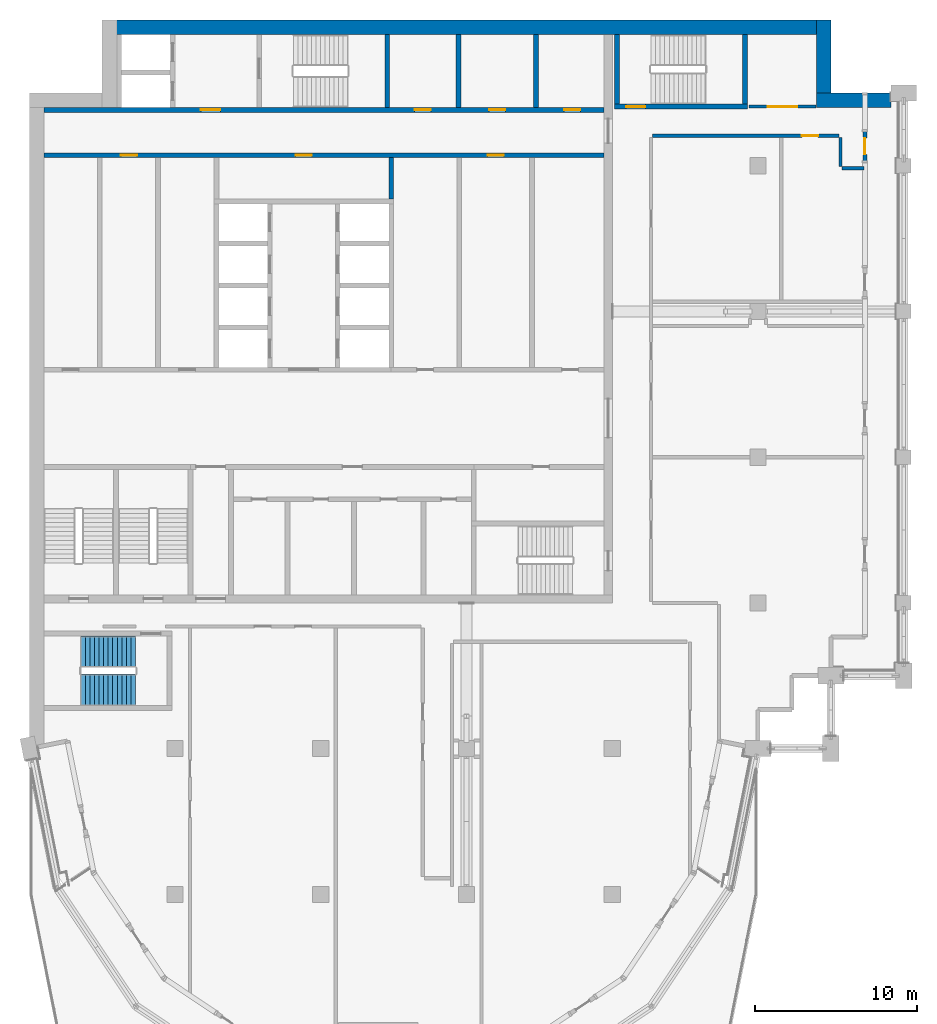
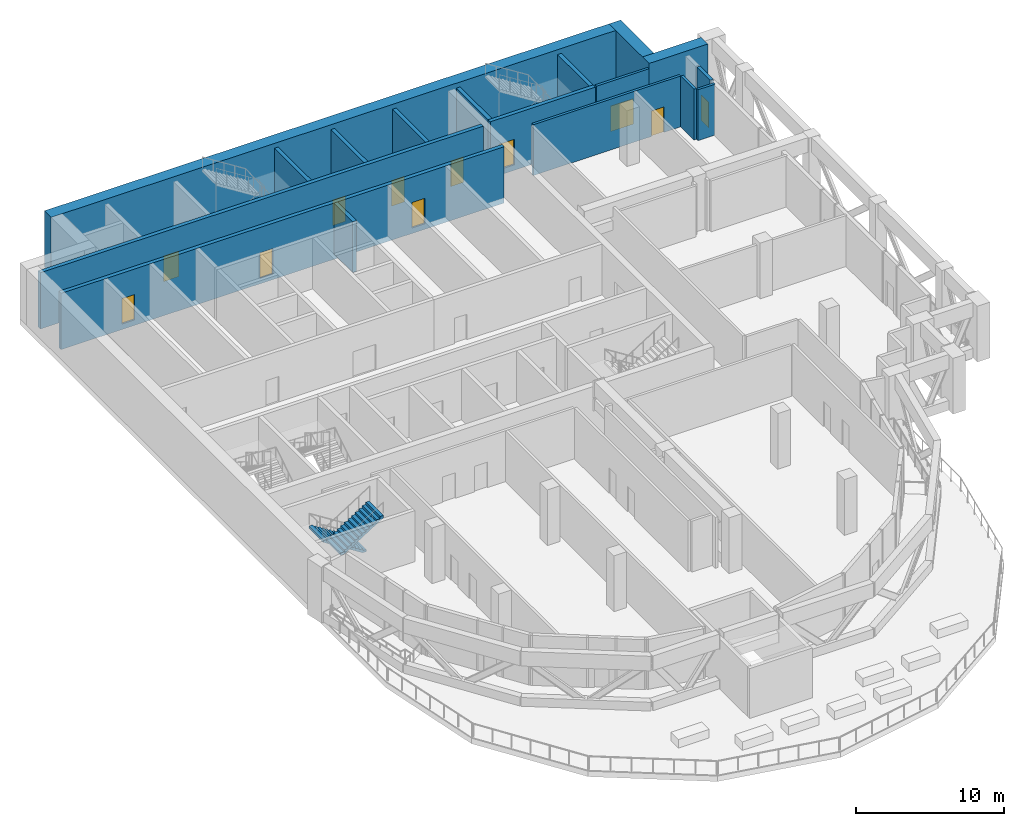
# One storey, part 10 of 18: 17 walls, 11 doors, 2 stair flights, 11 openings, 1 element without a shape of its own.
"""IFC4 building model written with IfcOpenShell, lengths in metres."""

from ifc_helpers import new_model, si_unit, direction, frame, frame_2d, origin, place, context, subcontext, project, spatial, polyline, rectangle, outline, extrude, material, layer, layer_set, type_object, element, fill, aggregate, save


model = new_model("IFC4")

# Units and contexts
model_context = context("Model", 3, precision=1e-05, world=origin(), true_north=direction((0.0, 1.0)))
body_context = subcontext(model_context, "Body", "Model", "MODEL_VIEW")
ifc_project = project(units=[si_unit("LENGTHUNIT", "METRE"), si_unit("AREAUNIT", "SQUARE_METRE"), si_unit("VOLUMEUNIT", "CUBIC_METRE"), si_unit("PLANEANGLEUNIT", "RADIAN"), si_unit("MASSUNIT", "GRAM", prefix="KILO")], contexts=[model_context])

# Site, building, storey
site_placement = place(None, origin())
site = spatial("IfcSite", under=ifc_project, at=site_placement, CompositionType="ELEMENT")
building_placement = place(site_placement, origin())
building = spatial("IfcBuilding", under=site, at=building_placement, Name="Hunhe Ridgeline Campus", CompositionType="ELEMENT")
storey_placement = place(building_placement, frame((0.0, 0.0, 276.199951171875)))
storey = spatial("IfcBuildingStorey", under=building, at=storey_placement, Name="L71", CompositionType="ELEMENT", Elevation=276.199951171875)

# Walls
ifc_material_1 = material(Name="Masonry concrete blockwork", Category="masonry")
ifc_layer_1 = layer(ifc_material_1, 0.300048828125)
ifc_layer_set_1 = layer_set([ifc_layer_1], Name="Core room partition 300 concrete block")
wall_type_1 = type_object("IfcWallType", Name="Core room partition 300 concrete block", PredefinedType="PARTITIONING", material=ifc_layer_set_1)
wall_1_placement = place(storey_placement, frame((22.35009765625, 87.949951171875, 0.0), z_axis=(0.0, 0.0, 1.0), x_axis=(0.0, 1.0, 0.0)))
element("IfcWall", 1, at=wall_1_placement, inside=storey, type_object=wall_type_1, Name="L71 core partition 42", PredefinedType="PARTITIONING", context=body_context, shape_type="SweptSolid", body=[
    extrude(rectangle(XDim=2.550048828125, YDim=0.300048828125, at=frame_2d((1.27490234375, 0.0))), origin(), (0.0, 0.0, 1.0), 4.199951171875),
])
for number, where, z_axis, x_axis, name in (
    (2, (26.5, 93.60009765625, 0.0), (0.0, 0.0, 1.0), (0.0, 1.0, 0.0), "L71 core partition 45"),
    (3, (31.300048828125, 93.60009765625, 0.0), (0.0, 0.0, 1.0), (0.0, 1.0, 0.0), "L71 core partition 50"),
):
    element("IfcWall", number, at=place(storey_placement, frame(where, z_axis=z_axis, x_axis=x_axis)), inside=storey, type_object=wall_type_1, Name=name, PredefinedType="PARTITIONING", context=body_context, shape_type="SweptSolid", body=[
        extrude(rectangle(XDim=4.5, YDim=0.300048828125, at=frame_2d((2.25, 0.0))), origin(), (0.0, 0.0, 1.0), 4.199951171875),
    ])
ifc_material_2 = material(Name="Gypsum board partition")
ifc_layer_2 = layer(ifc_material_2, 0.199951171875)
ifc_layer_set_2 = layer_set([ifc_layer_2], Name="Corridor partition 200 gypsum board on steel studs")
wall_type_2 = type_object("IfcWallType", Name="Corridor partition 200 gypsum board on steel studs", PredefinedType="PARTITIONING", material=ifc_layer_set_2)
wall_2_placement = place(storey_placement, frame((51.544921875, 89.85009765625, 0.0), z_axis=(0.0, 0.0, 1.0), x_axis=(-1.0, 0.0, 0.0)))
element("IfcWall", 4, at=wall_2_placement, inside=storey, type_object=wall_type_2, Name="F-L71-wall-015", PredefinedType="PARTITIONING", context=body_context, shape_type="SweptSolid", body=[
    extrude(rectangle(XDim=1.345947265625, YDim=0.199951171875, at=frame_2d((0.6728515625, 0.0))), origin(), (0.0, 0.0, 1.0), 4.199951171875),
])

# Wall, opening, door
wall_3_placement = place(storey_placement, frame((49.9990234375, 91.85009765625, 0.0), z_axis=(0.0, 0.0, 1.0), x_axis=(-1.0, 0.0, 0.0)))
wall_3 = element("IfcWall", 5, at=wall_3_placement, inside=storey, type_object=wall_type_2, Name="F-L71-wall-016", PredefinedType="PARTITIONING", context=body_context, shape_type="SweptSolid", body=[
    extrude(rectangle(XDim=11.4990234375, YDim=0.199951171875, at=frame_2d((5.74951171875, 0.0))), origin(), (0.0, 0.0, 1.0), 4.199951171875),
])
opening_1_placement = place(wall_3_placement, frame((1.288818359375, 0.0, 0.0)))
opening_1 = element("IfcOpeningElement", 6, at=opening_1_placement, cuts=wall_3, Name="Opening RD1-014", PredefinedType="OPENING", context=body_context, shape_type="SweptSolid", body=[
    extrude(rectangle(XDim=1.0, YDim=2.10009765625, at=frame_2d((0.5, 1.050048828125))), frame((0.0, 0.10009765625, 0.0), z_axis=(0.0, -1.0, 0.0), x_axis=(1.0, 0.0, 0.0)), (0.0, 0.0, 1.0), 0.199951171875),
])
ifc_material_3 = material(Name="Timber door leaf", Category="wood")
door_type_1 = type_object("IfcDoorType", Name="Single fire door 1000x2100 timber FD60", OperationType="NOTDEFINED", PredefinedType="DOOR", material=ifc_material_3)
door_1_placement = place(opening_1_placement, frame((1.0, 0.0, 0.0), z_axis=(0.0, 0.0, 1.0), x_axis=(-1.0, 0.0, 0.0)))
door_1 = element("IfcDoor", 7, at=door_1_placement, inside=storey, type_object=door_type_1, Name="F-L71-door-014", OperationType="SINGLE_SWING_RIGHT", OverallHeight=2.10009765625, OverallWidth=1.0, PredefinedType="DOOR", context=body_context, shape_type="SweptSolid", body=[
    extrude(rectangle(XDim=1.0, YDim=2.10009765625, at=frame_2d((0.5, 1.050048828125))), frame((0.0, 0.02490234375, 0.0), z_axis=(0.0, -1.0, 0.0), x_axis=(1.0, 0.0, 0.0)), (0.0, 0.0, 1.0), 0.050048828125),
])
fill(opening_1, door_1)

wall_4_placement = place(storey_placement, frame((44.4541015625, 93.64990234375, 0.0), z_axis=(0.0, 0.0, 1.0), x_axis=(1.0, 0.0, 0.0)))
wall_4 = element("IfcWall", 8, at=wall_4_placement, inside=storey, type_object=wall_type_2, Name="F-L71-wall-017", PredefinedType="PARTITIONING", context=body_context, shape_type="SweptSolid", body=[
    extrude(rectangle(XDim=4.121826171875, YDim=0.199951171875, at=frame_2d((2.06103515625, 0.0))), origin(), (0.0, 0.0, 1.0), 4.199951171875),
])
opening_2_placement = place(wall_4_placement, frame((1.160888671875, 0.0, 0.0)))
opening_2 = element("IfcOpeningElement", 9, at=opening_2_placement, cuts=wall_4, Name="Opening RD2-015", PredefinedType="OPENING", context=body_context, shape_type="SweptSolid", body=[
    extrude(rectangle(XDim=1.800048828125, YDim=2.10009765625, at=frame_2d((0.89990234375, 1.050048828125))), frame((0.0, 0.10009765625, 0.0), z_axis=(0.0, -1.0, 0.0), x_axis=(1.0, 0.0, 0.0)), (0.0, 0.0, 1.0), 0.199951171875),
])
door_type_2 = type_object("IfcDoorType", Name="Double fire door 1800x2100 timber FD60", OperationType="DOUBLE_DOOR_SINGLE_SWING", PredefinedType="DOOR", material=ifc_material_3)
door_2_placement = place(opening_2_placement, origin())
door_2 = element("IfcDoor", 10, at=door_2_placement, inside=storey, type_object=door_type_2, Name="F-L71-door-015", OperationType="DOUBLE_DOOR_SINGLE_SWING", OverallHeight=2.10009765625, OverallWidth=1.800048828125, PredefinedType="DOOR", context=body_context, shape_type="SweptSolid", body=[
    extrude(rectangle(XDim=1.800048828125, YDim=2.10009765625, at=frame_2d((0.89990234375, 1.050048828125))), frame((0.0, 0.02490234375, 0.0), z_axis=(0.0, -1.0, 0.0), x_axis=(1.0, 0.0, 0.0)), (0.0, 0.0, 1.0), 0.050048828125),
])
fill(opening_2, door_2)

# Wall
wall_5_placement = place(storey_placement, frame((50.09912109375, 89.949951171875, 0.0), z_axis=(0.0, 0.0, 1.0), x_axis=(0.0, 1.0, 0.0)))
element("IfcWall", 11, at=wall_5_placement, inside=storey, type_object=wall_type_2, Name="F-L71-wall-029", PredefinedType="PARTITIONING", context=body_context, shape_type="SweptSolid", body=[
    extrude(rectangle(XDim=1.800048828125, YDim=0.199951171875, at=frame_2d((0.89990234375, 0.0))), origin(), (0.0, 0.0, 1.0), 4.199951171875),
])

# Wall, openings, doors
ifc_material_4 = material(Name="Concrete C50", Category="concrete")
ifc_layer_3 = layer(ifc_material_4, 0.300048828125)
ifc_layer_set_3 = layer_set([ifc_layer_3], Name="Lobby wall 300 reinforced concrete C50")
wall_type_3 = type_object("IfcWallType", Name="Lobby wall 300 reinforced concrete C50", PredefinedType="SOLIDWALL", material=ifc_layer_set_3)
wall_6_placement = place(storey_placement, frame((0.89990234375, 90.64990234375, -0.449951171875), z_axis=(0.0, 0.0, 1.0), x_axis=(1.0, 0.0, 0.0)))
wall_6 = element("IfcWall", 12, at=wall_6_placement, inside=storey, type_object=wall_type_3, Name="L71 core wall 20", PredefinedType="SOLIDWALL", context=body_context, shape_type="SweptSolid", body=[
    extrude(rectangle(XDim=34.60009765625, YDim=0.300048828125, at=frame_2d((17.300048828125, 0.0))), origin(), (0.0, 0.0, 1.0), 4.64990234375),
])
opening_3_placement = place(wall_6_placement, frame((15.550048828125, 0.0, 0.449951171875)))
opening_3 = element("IfcOpeningElement", 13, at=opening_3_placement, cuts=wall_6, Name="Opening CD26", PredefinedType="OPENING", context=body_context, shape_type="SweptSolid", body=[
    extrude(rectangle(XDim=1.0, YDim=2.10009765625, at=frame_2d((0.5, 1.050048828125))), frame((0.0, 0.14990234375, 0.0), z_axis=(0.0, -1.0, 0.0), x_axis=(1.0, 0.0, 0.0)), (0.0, 0.0, 1.0), 0.300048828125),
])
opening_4_placement = place(wall_6_placement, frame((4.75, 0.0, 0.449951171875)))
opening_4 = element("IfcOpeningElement", 14, at=opening_4_placement, cuts=wall_6, Name="Opening CD40", PredefinedType="OPENING", context=body_context, shape_type="SweptSolid", body=[
    extrude(rectangle(XDim=1.0, YDim=2.10009765625, at=frame_2d((0.5, 1.050048828125))), frame((0.0, 0.14990234375, 0.0), z_axis=(0.0, -1.0, 0.0), x_axis=(1.0, 0.0, 0.0)), (0.0, 0.0, 1.0), 0.300048828125),
])
opening_5_placement = place(wall_6_placement, frame((27.39990234375, 0.0, 0.449951171875)))
opening_5 = element("IfcOpeningElement", 15, at=opening_5_placement, cuts=wall_6, Name="Opening CD33", PredefinedType="OPENING", context=body_context, shape_type="SweptSolid", body=[
    extrude(rectangle(XDim=1.0, YDim=2.10009765625, at=frame_2d((0.5, 1.050048828125))), frame((0.0, 0.14990234375, 0.0), z_axis=(0.0, -1.0, 0.0), x_axis=(1.0, 0.0, 0.0)), (0.0, 0.0, 1.0), 0.300048828125),
])
ifc_material_5 = material(Name="Solid core timber door leaf", Category="wood")
door_type_3 = type_object("IfcDoorType", Name="Timber door 1000x2100", OperationType="SINGLE_SWING_LEFT", PredefinedType="DOOR", material=ifc_material_5)
door_3_placement = place(opening_3_placement, frame((1.0, 0.0, 0.0), z_axis=(0.0, 0.0, 1.0), x_axis=(-1.0, 0.0, 0.0)))
door_3 = element("IfcDoor", 16, at=door_3_placement, inside=storey, type_object=door_type_3, Name="L71 door NR-0", OperationType="SINGLE_SWING_LEFT", OverallHeight=2.10009765625, OverallWidth=1.0, PredefinedType="DOOR", context=body_context, shape_type="SweptSolid", body=[
    extrude(rectangle(XDim=1.0, YDim=2.10009765625, at=frame_2d((0.5, 1.050048828125))), frame((0.0, 0.02490234375, 0.0), z_axis=(0.0, -1.0, 0.0), x_axis=(1.0, 0.0, 0.0)), (0.0, 0.0, 1.0), 0.050048828125),
])
fill(opening_3, door_3)
door_4_placement = place(opening_4_placement, frame((1.0, 0.0, 0.0), z_axis=(0.0, 0.0, 1.0), x_axis=(-1.0, 0.0, 0.0)))
door_4 = element("IfcDoor", 17, at=door_4_placement, inside=storey, type_object=door_type_3, Name="L71 door VD-LR1", OperationType="SINGLE_SWING_LEFT", OverallHeight=2.10009765625, OverallWidth=1.0, PredefinedType="DOOR", context=body_context, shape_type="SweptSolid", body=[
    extrude(rectangle(XDim=1.0, YDim=2.10009765625, at=frame_2d((0.5, 1.050048828125))), frame((0.0, 0.02490234375, 0.0), z_axis=(0.0, -1.0, 0.0), x_axis=(1.0, 0.0, 0.0)), (0.0, 0.0, 1.0), 0.050048828125),
])
fill(opening_4, door_4)
door_5_placement = place(opening_5_placement, frame((1.0, 0.0, 0.0), z_axis=(0.0, 0.0, 1.0), x_axis=(-1.0, 0.0, 0.0)))
door_5 = element("IfcDoor", 18, at=door_5_placement, inside=storey, type_object=door_type_3, Name="L71 door ES1", OperationType="SINGLE_SWING_LEFT", OverallHeight=2.10009765625, OverallWidth=1.0, PredefinedType="DOOR", context=body_context, shape_type="SweptSolid", body=[
    extrude(rectangle(XDim=1.0, YDim=2.10009765625, at=frame_2d((0.5, 1.050048828125))), frame((0.0, 0.02490234375, 0.0), z_axis=(0.0, -1.0, 0.0), x_axis=(1.0, 0.0, 0.0)), (0.0, 0.0, 1.0), 0.050048828125),
])
fill(opening_5, door_5)

# Wall, opening, door
ifc_material_6 = material(Name="Concrete C30", Category="concrete")
ifc_layer_4 = layer(ifc_material_6, 0.25)
ifc_layer_set_4 = layer_set([ifc_layer_4], Name="Loggia door pier wall 250 Concrete C30")
wall_type_4 = type_object("IfcWallType", Name="Loggia door pier wall 250 Concrete C30", PredefinedType="SOLIDWALL", material=ifc_layer_set_4)
wall_7_placement = place(storey_placement, frame((51.59912109375, 90.300048828125, 0.0), z_axis=(0.0, 0.0, 1.0), x_axis=(0.0, 1.0, 0.0)))
wall_7 = element("IfcWall", 19, at=wall_7_placement, inside=storey, type_object=wall_type_4, Name="Loggia door pier 10", PredefinedType="SOLIDWALL", context=body_context, shape_type="SweptSolid", body=[
    extrude(rectangle(XDim=1.800048828125, YDim=0.25, at=frame_2d((0.89990234375, 0.0))), origin(), (0.0, 0.0, 1.0), 4.199951171875),
])
opening_6_placement = place(wall_7_placement, frame((0.39990234375, 0.0, 0.0)))
opening_6 = element("IfcOpeningElement", 20, at=opening_6_placement, cuts=wall_7, Name="Opening BR612", PredefinedType="OPENING", context=body_context, shape_type="SweptSolid", body=[
    extrude(rectangle(XDim=1.0, YDim=2.10009765625, at=frame_2d((0.5, 1.050048828125))), frame((0.0, 0.125, 0.0), z_axis=(0.0, -1.0, 0.0), x_axis=(1.0, 0.0, 0.0)), (0.0, 0.0, 1.0), 0.25),
])
ifc_material_7 = material(Name="Aluminium 6063", Category="aluminium")
door_type_4 = type_object("IfcDoorType", Name="Loggia glazed door 1000x2100", OperationType="NOTDEFINED", PredefinedType="DOOR", material=ifc_material_7)
door_6_placement = place(opening_6_placement, frame((1.0, 0.0, 0.0), z_axis=(0.0, 0.0, 1.0), x_axis=(-1.0, 0.0, 0.0)))
door_6 = element("IfcDoor", 21, at=door_6_placement, inside=storey, type_object=door_type_4, Name="Loggia door BR612", OperationType="SINGLE_SWING_LEFT", OverallHeight=2.10009765625, OverallWidth=1.0, PredefinedType="DOOR", context=body_context, shape_type="SweptSolid", body=[
    extrude(rectangle(XDim=1.0, YDim=2.10009765625, at=frame_2d((0.5, 1.050048828125))), frame((0.0, 0.02490234375, 0.0), z_axis=(0.0, -1.0, 0.0), x_axis=(1.0, 0.0, 0.0)), (0.0, 0.0, 1.0), 0.050048828125),
])
fill(opening_6, door_6)

# Wall, openings, doors
ifc_layer_5 = layer(ifc_material_4, 0.300048828125)
ifc_layer_set_5 = layer_set([ifc_layer_5], Name="Shaft wall 300 reinforced concrete C50")
wall_type_5 = type_object("IfcWallType", Name="Shaft wall 300 reinforced concrete C50", PredefinedType="SOLIDWALL", material=ifc_layer_set_5)
wall_8_placement = place(storey_placement, frame((0.89990234375, 93.449951171875, -0.449951171875), z_axis=(0.0, 0.0, 1.0), x_axis=(1.0, 0.0, 0.0)))
wall_8 = element("IfcWall", 22, at=wall_8_placement, inside=storey, type_object=wall_type_5, Name="L71 core wall 21", PredefinedType="SOLIDWALL", context=body_context, shape_type="SweptSolid", body=[
    extrude(rectangle(XDim=34.60009765625, YDim=0.300048828125, at=frame_2d((17.300048828125, 0.0))), origin(), (0.0, 0.0, 1.0), 4.64990234375),
])
opening_7_placement = place(wall_8_placement, frame((9.699951171875, 0.0, 0.449951171875)))
opening_7 = element("IfcOpeningElement", 23, at=opening_7_placement, cuts=wall_8, Name="Opening CD3", PredefinedType="OPENING", context=body_context, shape_type="SweptSolid", body=[
    extrude(rectangle(XDim=1.199951171875, YDim=2.10009765625, at=frame_2d((0.60009765625, 1.050048828125))), frame((0.0, 0.14990234375, 0.0), z_axis=(0.0, -1.0, 0.0), x_axis=(1.0, 0.0, 0.0)), (0.0, 0.0, 1.0), 0.300048828125),
])
opening_8_placement = place(wall_8_placement, frame((22.89990234375, 0.0, 0.449951171875)))
opening_8 = element("IfcOpeningElement", 24, at=opening_8_placement, cuts=wall_8, Name="Opening CD34", PredefinedType="OPENING", context=body_context, shape_type="SweptSolid", body=[
    extrude(rectangle(XDim=1.0, YDim=2.10009765625, at=frame_2d((0.5, 1.050048828125))), frame((0.0, 0.14990234375, 0.0), z_axis=(0.0, -1.0, 0.0), x_axis=(1.0, 0.0, 0.0)), (0.0, 0.0, 1.0), 0.300048828125),
])
opening_9_placement = place(wall_8_placement, frame((27.5, 0.0, 0.449951171875)))
opening_9 = element("IfcOpeningElement", 25, at=opening_9_placement, cuts=wall_8, Name="Opening CD35", PredefinedType="OPENING", context=body_context, shape_type="SweptSolid", body=[
    extrude(rectangle(XDim=1.0, YDim=2.10009765625, at=frame_2d((0.5, 1.050048828125))), frame((0.0, 0.14990234375, 0.0), z_axis=(0.0, -1.0, 0.0), x_axis=(1.0, 0.0, 0.0)), (0.0, 0.0, 1.0), 0.300048828125),
])
opening_10_placement = place(wall_8_placement, frame((32.125, 0.0, 0.449951171875)))
opening_10 = element("IfcOpeningElement", 26, at=opening_10_placement, cuts=wall_8, Name="Opening CD36", PredefinedType="OPENING", context=body_context, shape_type="SweptSolid", body=[
    extrude(rectangle(XDim=1.0, YDim=2.10009765625, at=frame_2d((0.5, 1.050048828125))), frame((0.0, 0.14990234375, 0.0), z_axis=(0.0, -1.0, 0.0), x_axis=(1.0, 0.0, 0.0)), (0.0, 0.0, 1.0), 0.300048828125),
])
ifc_material_8 = material(Name="Hollow metal fire door leaf")
door_type_5 = type_object("IfcDoorType", Name="Lobby door 1200x2100 FD60", OperationType="SINGLE_SWING_LEFT", PredefinedType="DOOR", material=ifc_material_8)
door_7_placement = place(opening_7_placement, frame((1.199951171875, 0.0, 0.0), z_axis=(0.0, 0.0, 1.0), x_axis=(-1.0, 0.0, 0.0)))
door_7 = element("IfcDoor", 27, at=door_7_placement, inside=storey, type_object=door_type_5, Name="L71 door FF-C1", OperationType="SINGLE_SWING_RIGHT", OverallHeight=2.10009765625, OverallWidth=1.199951171875, PredefinedType="DOOR", context=body_context, shape_type="SweptSolid", body=[
    extrude(rectangle(XDim=1.199951171875, YDim=2.10009765625, at=frame_2d((0.60009765625, 1.050048828125))), frame((0.0, 0.02490234375, 0.0), z_axis=(0.0, -1.0, 0.0), x_axis=(1.0, 0.0, 0.0)), (0.0, 0.0, 1.0), 0.050048828125),
])
fill(opening_7, door_7)
door_8_placement = place(opening_8_placement, origin())
door_8 = element("IfcDoor", 28, at=door_8_placement, inside=storey, type_object=door_type_3, Name="L71 door NB0", OperationType="SINGLE_SWING_RIGHT", OverallHeight=2.10009765625, OverallWidth=1.0, PredefinedType="DOOR", context=body_context, shape_type="SweptSolid", body=[
    extrude(rectangle(XDim=1.0, YDim=2.10009765625, at=frame_2d((0.5, 1.050048828125))), frame((0.0, 0.02490234375, 0.0), z_axis=(0.0, -1.0, 0.0), x_axis=(1.0, 0.0, 0.0)), (0.0, 0.0, 1.0), 0.050048828125),
])
fill(opening_8, door_8)
door_9_placement = place(opening_9_placement, origin())
door_9 = element("IfcDoor", 29, at=door_9_placement, inside=storey, type_object=door_type_3, Name="L71 door NB1", OperationType="SINGLE_SWING_LEFT", OverallHeight=2.10009765625, OverallWidth=1.0, PredefinedType="DOOR", context=body_context, shape_type="SweptSolid", body=[
    extrude(rectangle(XDim=1.0, YDim=2.10009765625, at=frame_2d((0.5, 1.050048828125))), frame((0.0, 0.02490234375, 0.0), z_axis=(0.0, -1.0, 0.0), x_axis=(1.0, 0.0, 0.0)), (0.0, 0.0, 1.0), 0.050048828125),
])
fill(opening_9, door_9)
door_10_placement = place(opening_10_placement, origin())
door_10 = element("IfcDoor", 30, at=door_10_placement, inside=storey, type_object=door_type_3, Name="L71 door NB2", OperationType="SINGLE_SWING_RIGHT", OverallHeight=2.10009765625, OverallWidth=1.0, PredefinedType="DOOR", context=body_context, shape_type="SweptSolid", body=[
    extrude(rectangle(XDim=1.0, YDim=2.10009765625, at=frame_2d((0.5, 1.050048828125))), frame((0.0, 0.02490234375, 0.0), z_axis=(0.0, -1.0, 0.0), x_axis=(1.0, 0.0, 0.0)), (0.0, 0.0, 1.0), 0.050048828125),
])
fill(opening_10, door_10)

# Walls
ifc_layer_6 = layer(ifc_material_4, 0.89990234375)
ifc_layer_set_6 = layer_set([ifc_layer_6], Name="Spine wall 900 Concrete C50")
wall_type_6 = type_object("IfcWallType", Name="Spine wall 900 Concrete C50", PredefinedType="SHEAR", material=ifc_layer_set_6)
wall_9_placement = place(storey_placement, frame((53.199951171875, 94.050048828125, 0.0), z_axis=(0.0, 0.0, 1.0), x_axis=(-1.0, 0.0, 0.0)))
element("IfcWall", 31, at=wall_9_placement, inside=storey, type_object=wall_type_6, Name="Spine wall SW4-2 L71", PredefinedType="SHEAR", context=body_context, shape_type="SweptSolid", body=[
    extrude(rectangle(XDim=4.599853515625, YDim=0.89990234375, at=frame_2d((2.2998046875, 0.0))), origin(), (0.0, 0.0, 1.0), 4.60009765625),
])
wall_10_placement = place(storey_placement, frame((49.050048828125, 93.60009765625, 0.0), z_axis=(0.0, 0.0, 1.0), x_axis=(0.0, 1.0, 0.0)))
element("IfcWall", 32, at=wall_10_placement, inside=storey, type_object=wall_type_6, Name="Spine wall SW4-3 L71", PredefinedType="SHEAR", context=body_context, shape_type="SweptSolid", body=[
    extrude(rectangle(XDim=5.39990234375, YDim=0.89990234375, at=frame_2d((2.699951171875, 0.0))), origin(), (0.0, 0.0, 1.0), 4.60009765625),
])
wall_11_placement = place(storey_placement, frame((49.5, 98.550048828125, 0.0), z_axis=(0.0, 0.0, 1.0), x_axis=(-1.0, 0.0, 0.0)))
element("IfcWall", 33, at=wall_11_placement, inside=storey, type_object=wall_type_6, Name="Spine wall SW4-4 L71", PredefinedType="SHEAR", context=body_context, shape_type="SweptSolid", body=[
    extrude(rectangle(XDim=45.0, YDim=0.89990234375, at=frame_2d((22.5, 0.0))), origin(), (0.0, 0.0, 1.0), 4.60009765625),
])

# Wall, opening, door
ifc_layer_7 = layer(ifc_material_4, 0.300048828125)
ifc_layer_set_7 = layer_set([ifc_layer_7], Name="Stair wall 300 reinforced concrete C50")
wall_type_7 = type_object("IfcWallType", Name="Stair wall 300 reinforced concrete C50", PredefinedType="SOLIDWALL", material=ifc_layer_set_7)
wall_12_placement = place(storey_placement, frame((36.14990234375, 93.64990234375, -0.449951171875), z_axis=(0.0, 0.0, 1.0), x_axis=(1.0, 0.0, 0.0)))
wall_12 = element("IfcWall", 34, at=wall_12_placement, inside=storey, type_object=wall_type_7, Name="L71 core wall 22", PredefinedType="SOLIDWALL", context=body_context, shape_type="SweptSolid", body=[
    extrude(rectangle(XDim=8.2001953125, YDim=0.300048828125, at=frame_2d((4.10009765625, 0.0))), origin(), (0.0, 0.0, 1.0), 4.64990234375),
])
opening_11_placement = place(wall_12_placement, frame((0.699951171875, 0.0, 0.449951171875)))
opening_11 = element("IfcOpeningElement", 35, at=opening_11_placement, cuts=wall_12, Name="Opening CD17", PredefinedType="OPENING", context=body_context, shape_type="SweptSolid", body=[
    extrude(rectangle(XDim=1.199951171875, YDim=2.10009765625, at=frame_2d((0.60009765625, 1.050048828125))), frame((0.0, 0.14990234375, 0.0), z_axis=(0.0, -1.0, 0.0), x_axis=(1.0, 0.0, 0.0)), (0.0, 0.0, 1.0), 0.300048828125),
])
door_type_6 = type_object("IfcDoorType", Name="Stair door 1200x2100 FD60", OperationType="SINGLE_SWING_LEFT", PredefinedType="DOOR", material=ifc_material_8)
door_11_placement = place(opening_11_placement, frame((1.199951171875, 0.0, 0.0), z_axis=(0.0, 0.0, 1.0), x_axis=(-1.0, 0.0, 0.0)))
door_11 = element("IfcDoor", 36, at=door_11_placement, inside=storey, type_object=door_type_6, Name="L71 door E1", OperationType="SINGLE_SWING_LEFT", OverallHeight=2.10009765625, OverallWidth=1.199951171875, PredefinedType="DOOR", context=body_context, shape_type="SweptSolid", body=[
    extrude(rectangle(XDim=1.199951171875, YDim=2.10009765625, at=frame_2d((0.60009765625, 1.050048828125))), frame((0.0, 0.02490234375, 0.0), z_axis=(0.0, -1.0, 0.0), x_axis=(1.0, 0.0, 0.0)), (0.0, 0.0, 1.0), 0.050048828125),
])
fill(opening_11, door_11)

# Walls
wall_13_placement = place(storey_placement, frame((22.10009765625, 93.60009765625, -0.449951171875), z_axis=(0.0, 0.0, 1.0), x_axis=(0.0, 1.0, 0.0)))
element("IfcWall", 37, at=wall_13_placement, inside=storey, type_object=wall_type_7, Name="L71 core wall 40", PredefinedType="SOLIDWALL", context=body_context, shape_type="SweptSolid", body=[
    extrude(rectangle(XDim=4.5, YDim=0.300048828125, at=frame_2d((2.25, 0.0))), origin(), (0.0, 0.0, 1.0), 4.64990234375),
])
for number, where, z_axis, x_axis, name in (
    (38, (36.300048828125, 93.800048828125, -0.449951171875), (0.0, 0.0, 1.0), (0.0, 1.0, 0.0), "L71 core wall 52"),
    (39, (44.199951171875, 93.800048828125, -0.449951171875), (0.0, 0.0, 1.0), (0.0, 1.0, 0.0), "L71 core wall 53"),
):
    element("IfcWall", number, at=place(storey_placement, frame(where, z_axis=z_axis, x_axis=x_axis)), inside=storey, type_object=wall_type_7, Name=name, PredefinedType="SOLIDWALL", context=body_context, shape_type="SweptSolid", body=[
        extrude(rectangle(XDim=4.300048828125, YDim=0.300048828125, at=frame_2d((2.14990234375, 0.0))), origin(), (0.0, 0.0, 1.0), 4.64990234375),
    ])

# Stair, stair flights
ifc_material_9 = material(Name="Concrete C40", Category="concrete")
stair_type = type_object("IfcStairType", Name="Reinforced concrete dog-leg stair 1950 Concrete C40", PredefinedType="HALF_TURN_STAIR", material=ifc_material_9)
stair_placement = place(storey_placement, origin())
stair = element("IfcStair", 40, at=stair_placement, inside=storey, type_object=stair_type, Name="L71 W2", PredefinedType="HALF_TURN_STAIR")
stair_flight_type = type_object("IfcStairFlightType", Name="Reinforced concrete stair flight 1950 Concrete C40", PredefinedType="STRAIGHT", material=ifc_material_9)
stair_flight_1_placement = place(storey_placement, frame((6.550048828125, 59.97509765625, 0.0), z_axis=(0.0, 0.0, 1.0), x_axis=(-1.0, 0.0, 0.0)))
stair_flight_1 = element("IfcStairFlight", 41, at=stair_flight_1_placement, type_object=stair_flight_type, Name="ST12 flight 1", NumberOfRisers=13, NumberOfTreads=12, PredefinedType="STRAIGHT", RiserHeight=0.176923077, TreadLength=0.28, context=body_context, shape_type="SweptSolid", body=[
    extrude(outline(polyline([(0.0, 0.0), (0.0, 0.177001953125), (0.280029296875, 0.177001953125), (0.280029296875, 0.353759765625), (0.56005859375, 0.353759765625), (0.56005859375, 0.53076171875), (0.840087890625, 0.53076171875), (0.840087890625, 0.707763671875), (1.1201171875, 0.707763671875), (1.1201171875, 0.884521484375), (1.39990234375, 0.884521484375), (1.39990234375, 1.0615234375), (1.679931640625, 1.0615234375), (1.679931640625, 1.238525390625), (1.9599609375, 1.238525390625), (1.9599609375, 1.415283203125), (2.239990234375, 1.415283203125), (2.239990234375, 1.59228515625), (2.52001953125, 1.59228515625), (2.52001953125, 1.769287109375), (2.800048828125, 1.769287109375), (2.800048828125, 1.946044921875), (3.080078125, 1.946044921875), (3.080078125, 2.123046875), (3.360107421875, 2.123046875), (3.360107421875, 2.300048828125), (3.360107421875, 1.94580078125), (0.280517578125, 0.0), (0.0, 0.0)])), frame((0.0, 0.97509765625, 0.0), z_axis=(0.0, -1.0, 0.0), x_axis=(1.0, 0.0, 0.0)), (0.0, 0.0, 1.0), 1.949951171875),
    extrude(outline(polyline([(0.030029296875, 0.030029296875), (0.030029296875, 0.14697265625), (0.31005859375, 0.14697265625), (0.31005859375, 0.32373046875), (0.590087890625, 0.32373046875), (0.590087890625, 0.500732421875), (0.8701171875, 0.500732421875), (0.8701171875, 0.677734375), (1.14990234375, 0.677734375), (1.14990234375, 0.8544921875), (1.429931640625, 0.8544921875), (1.429931640625, 1.031494140625), (1.7099609375, 1.031494140625), (1.7099609375, 1.20849609375), (1.989990234375, 1.20849609375), (1.989990234375, 1.385498046875), (2.27001953125, 1.385498046875), (2.27001953125, 1.562255859375), (2.550048828125, 1.562255859375), (2.550048828125, 1.7392578125), (2.830078125, 1.7392578125), (2.830078125, 1.916259765625), (3.110107421875, 1.916259765625), (3.110107421875, 2.093017578125), (3.330078125, 2.093017578125), (3.330078125, 1.96240234375), (0.27197265625, 0.030029296875), (0.030029296875, 0.030029296875)])), frame((0.0, -0.070068359375, 0.0), z_axis=(0.0, -1.0, 0.0), x_axis=(1.0, 0.0, 0.0)), (0.0, 0.0, 1.0), 0.019775390625),
    extrude(outline(polyline([(0.030029296875, 0.030029296875), (0.030029296875, 0.14697265625), (0.31005859375, 0.14697265625), (0.31005859375, 0.32373046875), (0.590087890625, 0.32373046875), (0.590087890625, 0.500732421875), (0.8701171875, 0.500732421875), (0.8701171875, 0.677734375), (1.14990234375, 0.677734375), (1.14990234375, 0.8544921875), (1.429931640625, 0.8544921875), (1.429931640625, 1.031494140625), (1.7099609375, 1.031494140625), (1.7099609375, 1.20849609375), (1.989990234375, 1.20849609375), (1.989990234375, 1.385498046875), (2.27001953125, 1.385498046875), (2.27001953125, 1.562255859375), (2.550048828125, 1.562255859375), (2.550048828125, 1.7392578125), (2.830078125, 1.7392578125), (2.830078125, 1.916259765625), (3.110107421875, 1.916259765625), (3.110107421875, 2.093017578125), (3.330078125, 2.093017578125), (3.330078125, 1.96240234375), (0.27197265625, 0.030029296875), (0.030029296875, 0.030029296875)])), frame((0.0, 0.010009765625, 0.0), z_axis=(0.0, -1.0, 0.0), x_axis=(1.0, 0.0, 0.0)), (0.0, 0.0, 1.0), 0.019775390625),
    extrude(outline(polyline([(0.030029296875, 0.030029296875), (0.030029296875, 0.14697265625), (0.31005859375, 0.14697265625), (0.31005859375, 0.32373046875), (0.590087890625, 0.32373046875), (0.590087890625, 0.500732421875), (0.8701171875, 0.500732421875), (0.8701171875, 0.677734375), (1.14990234375, 0.677734375), (1.14990234375, 0.8544921875), (1.429931640625, 0.8544921875), (1.429931640625, 1.031494140625), (1.7099609375, 1.031494140625), (1.7099609375, 1.20849609375), (1.989990234375, 1.20849609375), (1.989990234375, 1.385498046875), (2.27001953125, 1.385498046875), (2.27001953125, 1.562255859375), (2.550048828125, 1.562255859375), (2.550048828125, 1.7392578125), (2.830078125, 1.7392578125), (2.830078125, 1.916259765625), (3.110107421875, 1.916259765625), (3.110107421875, 2.093017578125), (3.330078125, 2.093017578125), (3.330078125, 1.96240234375), (0.27197265625, 0.030029296875), (0.030029296875, 0.030029296875)])), frame((0.0, 0.090087890625, 0.0), z_axis=(0.0, -1.0, 0.0), x_axis=(1.0, 0.0, 0.0)), (0.0, 0.0, 1.0), 0.019775390625),
])
stair_flight_2_placement = place(storey_placement, frame((3.18994140625, 57.625, 2.300048828125), z_axis=(0.0, 0.0, 1.0), x_axis=(1.0, 0.0, 0.0)))
stair_flight_2 = element("IfcStairFlight", 42, at=stair_flight_2_placement, type_object=stair_flight_type, Name="ST12 flight 2", NumberOfRisers=13, NumberOfTreads=12, PredefinedType="STRAIGHT", RiserHeight=0.176923077, TreadLength=0.28, context=body_context, shape_type="SweptSolid", body=[
    extrude(outline(polyline([(0.0, 0.0), (0.0, 0.177001953125), (0.280029296875, 0.177001953125), (0.280029296875, 0.353759765625), (0.56005859375, 0.353759765625), (0.56005859375, 0.53076171875), (0.840087890625, 0.53076171875), (0.840087890625, 0.707763671875), (1.1201171875, 0.707763671875), (1.1201171875, 0.884521484375), (1.39990234375, 0.884521484375), (1.39990234375, 1.0615234375), (1.679931640625, 1.0615234375), (1.679931640625, 1.238525390625), (1.9599609375, 1.238525390625), (1.9599609375, 1.415283203125), (2.239990234375, 1.415283203125), (2.239990234375, 1.59228515625), (2.52001953125, 1.59228515625), (2.52001953125, 1.769287109375), (2.800048828125, 1.769287109375), (2.800048828125, 1.946044921875), (3.080078125, 1.946044921875), (3.080078125, 2.123046875), (3.360107421875, 2.123046875), (3.360107421875, 2.300048828125), (3.360107421875, 1.94580078125), (0.280517578125, 0.0), (0.0, 0.0)])), frame((0.0, 0.97509765625, 0.0), z_axis=(0.0, -1.0, 0.0), x_axis=(1.0, 0.0, 0.0)), (0.0, 0.0, 1.0), 1.949951171875),
    extrude(outline(polyline([(0.030029296875, 0.030029296875), (0.030029296875, 0.14697265625), (0.31005859375, 0.14697265625), (0.31005859375, 0.32373046875), (0.590087890625, 0.32373046875), (0.590087890625, 0.500732421875), (0.8701171875, 0.500732421875), (0.8701171875, 0.677734375), (1.14990234375, 0.677734375), (1.14990234375, 0.8544921875), (1.429931640625, 0.8544921875), (1.429931640625, 1.031494140625), (1.7099609375, 1.031494140625), (1.7099609375, 1.20849609375), (1.989990234375, 1.20849609375), (1.989990234375, 1.385498046875), (2.27001953125, 1.385498046875), (2.27001953125, 1.562255859375), (2.550048828125, 1.562255859375), (2.550048828125, 1.7392578125), (2.830078125, 1.7392578125), (2.830078125, 1.916259765625), (3.110107421875, 1.916259765625), (3.110107421875, 2.093017578125), (3.330078125, 2.093017578125), (3.330078125, 1.96240234375), (0.27197265625, 0.030029296875), (0.030029296875, 0.030029296875)])), frame((0.0, -0.070068359375, 0.0), z_axis=(0.0, -1.0, 0.0), x_axis=(1.0, 0.0, 0.0)), (0.0, 0.0, 1.0), 0.019775390625),
    extrude(outline(polyline([(0.030029296875, 0.030029296875), (0.030029296875, 0.14697265625), (0.31005859375, 0.14697265625), (0.31005859375, 0.32373046875), (0.590087890625, 0.32373046875), (0.590087890625, 0.500732421875), (0.8701171875, 0.500732421875), (0.8701171875, 0.677734375), (1.14990234375, 0.677734375), (1.14990234375, 0.8544921875), (1.429931640625, 0.8544921875), (1.429931640625, 1.031494140625), (1.7099609375, 1.031494140625), (1.7099609375, 1.20849609375), (1.989990234375, 1.20849609375), (1.989990234375, 1.385498046875), (2.27001953125, 1.385498046875), (2.27001953125, 1.562255859375), (2.550048828125, 1.562255859375), (2.550048828125, 1.7392578125), (2.830078125, 1.7392578125), (2.830078125, 1.916259765625), (3.110107421875, 1.916259765625), (3.110107421875, 2.093017578125), (3.330078125, 2.093017578125), (3.330078125, 1.96240234375), (0.27197265625, 0.030029296875), (0.030029296875, 0.030029296875)])), frame((0.0, 0.010009765625, 0.0), z_axis=(0.0, -1.0, 0.0), x_axis=(1.0, 0.0, 0.0)), (0.0, 0.0, 1.0), 0.019775390625),
    extrude(outline(polyline([(0.030029296875, 0.030029296875), (0.030029296875, 0.14697265625), (0.31005859375, 0.14697265625), (0.31005859375, 0.32373046875), (0.590087890625, 0.32373046875), (0.590087890625, 0.500732421875), (0.8701171875, 0.500732421875), (0.8701171875, 0.677734375), (1.14990234375, 0.677734375), (1.14990234375, 0.8544921875), (1.429931640625, 0.8544921875), (1.429931640625, 1.031494140625), (1.7099609375, 1.031494140625), (1.7099609375, 1.20849609375), (1.989990234375, 1.20849609375), (1.989990234375, 1.385498046875), (2.27001953125, 1.385498046875), (2.27001953125, 1.562255859375), (2.550048828125, 1.562255859375), (2.550048828125, 1.7392578125), (2.830078125, 1.7392578125), (2.830078125, 1.916259765625), (3.110107421875, 1.916259765625), (3.110107421875, 2.093017578125), (3.330078125, 2.093017578125), (3.330078125, 1.96240234375), (0.27197265625, 0.030029296875), (0.030029296875, 0.030029296875)])), frame((0.0, 0.090087890625, 0.0), z_axis=(0.0, -1.0, 0.0), x_axis=(1.0, 0.0, 0.0)), (0.0, 0.0, 1.0), 0.019775390625),
])
aggregate(stair, [stair_flight_1, stair_flight_2])

save(model, "model.ifc")
